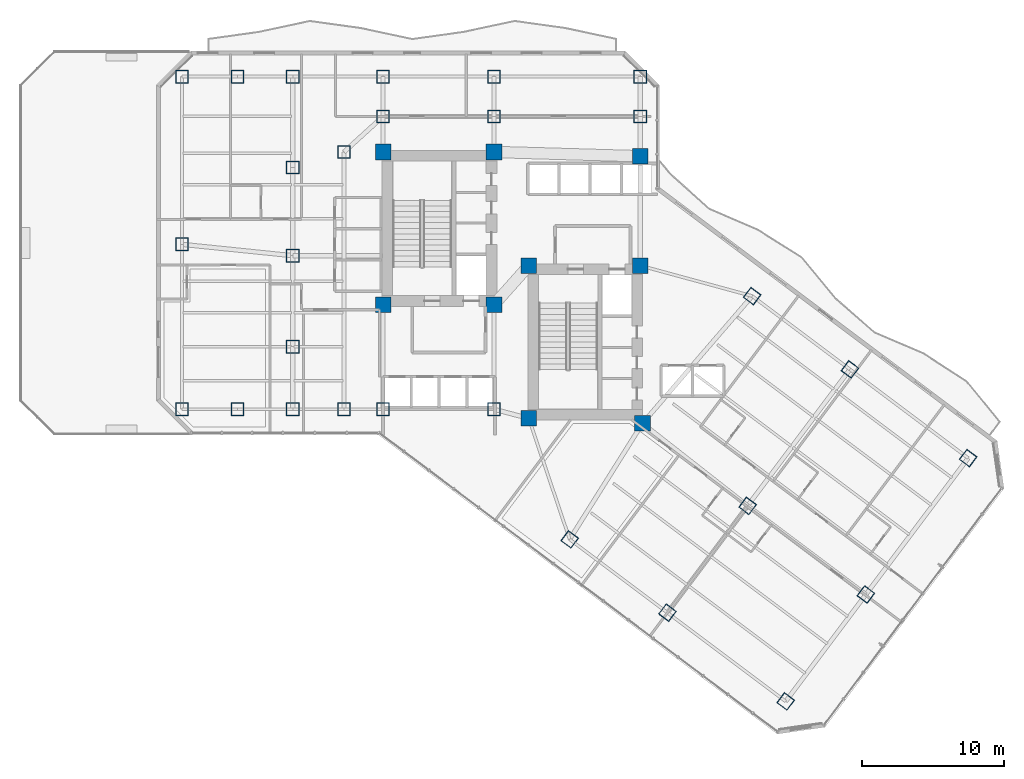
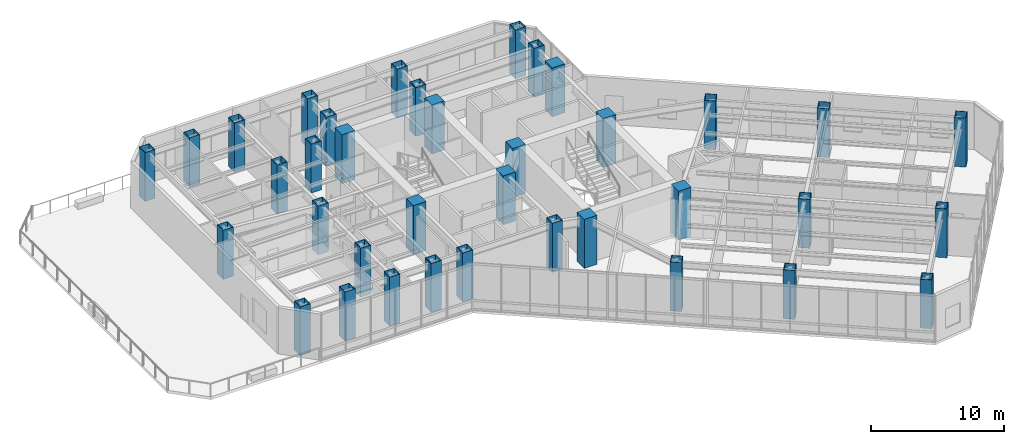
# One storey, part 1 of 27: 37 columns.
"""IFC4 building model written with IfcOpenShell, lengths in metres."""

import ifcopenshell
import ifcopenshell.guid

model = None  # the IFC model being written
_history = None  # IfcOwnerHistory: only IFC2X3 demands one
_inside = {}  # id of a spatial element -> (the spatial element, [elements in it])
_under = {}  # id of a project, library or spatial element -> (it, [spatial elements below it])
_declared = {}  # id of a project -> (the project, [libraries it declares])
_typed = {}  # id of a type object -> (the type object, [elements of that type])
_made_of = {}  # id of a material, layer set ... -> (it, [elements and type objects made of it])


def new_model(schema):
    """Start an empty IFC model of exactly this schema.

    Asked for "IFC4X3", IfcOpenShell would pick the latest addendum, in which some entities
    have other attributes; the version numbers below select the first issue.
    IFC2X3 requires an IfcOwnerHistory on every rooted entity: one is made here for all.
    """
    global model, _history
    if schema == "IFC4X3":
        model = ifcopenshell.file(schema_version=(4, 3, 0, 0))
    else:
        model = ifcopenshell.file(schema=schema)
    _inside.clear()
    _under.clear()
    _declared.clear()
    _typed.clear()
    _made_of.clear()
    _history = None
    if model.schema == "IFC2X3":
        org = make("IfcOrganization", Name="unknown")
        user = make(
            "IfcPersonAndOrganization",
            ThePerson=make("IfcPerson", FamilyName="unknown"),
            TheOrganization=org,
        )
        app = make(
            "IfcApplication",
            ApplicationDeveloper=org,
            Version="unknown",
            ApplicationFullName="unknown",
            ApplicationIdentifier="unknown",
        )
        _history = make(
            "IfcOwnerHistory",
            OwningUser=user,
            OwningApplication=app,
            ChangeAction="ADDED",
            CreationDate=0,
        )
    return model


def make(cls, **values):
    """One entity of the class cls with the attributes given. An attribute that is None is left unset."""
    return model.create_entity(
        cls, **{name: value for name, value in values.items() if value is not None}
    )


def rooted(cls, **values):
    """An entity with a GlobalId (a new one), such as an element, a storey or a relation."""
    return make(cls, GlobalId=ifcopenshell.guid.new(), OwnerHistory=_history, **values)


def si_unit(unit_type, name, prefix=None):
    """IfcSIUnit, for example si_unit("LENGTHUNIT", "METRE", prefix="MILLI")."""
    return make("IfcSIUnit", UnitType=unit_type, Prefix=prefix, Name=name)


def assignment(units):
    """IfcUnitAssignment: the units of a project."""
    return None if units is None else make("IfcUnitAssignment", Units=units)


def point(xyz):
    """IfcCartesianPoint."""
    return None if xyz is None else make("IfcCartesianPoint", Coordinates=xyz)


def direction(xyz):
    """IfcDirection."""
    return None if xyz is None else make("IfcDirection", DirectionRatios=xyz)


def frame(location, z_axis=None, x_axis=None):
    """IfcAxis2Placement3D, a coordinate frame: its origin and axes. An axis left out is left unset."""
    return make(
        "IfcAxis2Placement3D",
        Location=point(location),
        Axis=direction(z_axis),
        RefDirection=direction(x_axis),
    )


def frame_2d(location, x_axis=None):
    """IfcAxis2Placement2D, a coordinate frame in the plane: its origin and x axis."""
    return make(
        "IfcAxis2Placement2D", Location=point(location), RefDirection=direction(x_axis)
    )


def origin():
    """The frame at (0, 0, 0) with its axes left unset."""
    return frame((0.0, 0.0, 0.0))


def origin_2d():
    """The frame at (0, 0) in the plane with its x axis left unset."""
    return frame_2d((0.0, 0.0))


def place(relative_to, where):
    """IfcLocalPlacement: puts the frame where relative to a parent placement (None: the world)."""
    return make(
        "IfcLocalPlacement", PlacementRelTo=relative_to, RelativePlacement=where
    )


def context(
    kind, dimensions, precision=None, world=None, true_north=None, identifier=None
):
    """IfcGeometricRepresentationContext, for example the 3D "Model" context."""
    return make(
        "IfcGeometricRepresentationContext",
        ContextIdentifier=identifier,
        ContextType=kind,
        CoordinateSpaceDimension=dimensions,
        Precision=precision,
        WorldCoordinateSystem=world,
        TrueNorth=true_north,
    )


def subcontext(parent, identifier, kind, view, scale=None):
    """IfcGeometricRepresentationSubContext, for example "Body" below "Model"."""
    return make(
        "IfcGeometricRepresentationSubContext",
        ContextIdentifier=identifier,
        ContextType=kind,
        ParentContext=parent,
        TargetScale=scale,
        TargetView=view,
    )


def project(units=None, contexts=None):
    """IfcProject with its units and contexts."""
    return rooted(
        "IfcProject",
        Name="project",
        RepresentationContexts=contexts,
        UnitsInContext=assignment(units),
    )


def spatial(cls, under=None, at=None, **own):
    """A site, building, storey or space (cls), placed at a placement, below another one or the project."""
    s = rooted(cls, ObjectPlacement=at, **own)
    if under is not None:
        _under.setdefault(under.id(), (under, []))[1].append(s)
    return s


def profile(cls, at=None, kind="AREA", **sizes):
    """A parametric profile (cls). Its sizes go by their IFC names, for example OverallWidth=200.0."""
    return make(cls, ProfileType=kind, Position=at, **sizes)


def rectangle(**sizes):
    """IfcRectangleProfileDef."""
    return profile("IfcRectangleProfileDef", **sizes)


def hollow_rectangle(**sizes):
    """IfcRectangleHollowProfileDef."""
    return profile("IfcRectangleHollowProfileDef", **sizes)


def extrude(swept, where, along, depth):
    """IfcExtrudedAreaSolid: the profile swept, set in the frame where, extruded along a direction by depth."""
    return make(
        "IfcExtrudedAreaSolid",
        SweptArea=swept,
        Position=where,
        ExtrudedDirection=direction(along),
        Depth=depth,
    )


def shape(context_of_items, identifier, shape_type, items):
    """IfcShapeRepresentation: the items that make up one representation, for example the "Body"."""
    return make(
        "IfcShapeRepresentation",
        ContextOfItems=context_of_items,
        RepresentationIdentifier=identifier,
        RepresentationType=shape_type,
        Items=items,
    )


def material(Name=None, Category=None):
    """IfcMaterial."""
    return make("IfcMaterial", Name=Name, Category=Category)


def material_profile(
    of_material, cross_section, Name=None, Category=None, Priority=None
):
    """IfcMaterialProfile: a cross section and its material."""
    return make(
        "IfcMaterialProfile",
        Name=Name,
        Material=of_material,
        Profile=cross_section,
        Priority=Priority,
        Category=Category,
    )


def profile_set(profiles, Name=None, composite=None):
    """IfcMaterialProfileSet."""
    return make(
        "IfcMaterialProfileSet",
        Name=Name,
        MaterialProfiles=profiles,
        CompositeProfile=composite,
    )


def made_of(thing, what):
    """Note that an element or type object is made of a material, layer set ...; save() writes the relation."""
    if what is not None:
        _made_of.setdefault(what.id(), (what, []))[1].append(thing)
    return thing


def type_object(cls, material=None, **own):
    """A type object (cls), such as IfcWallType, which elements share."""
    return made_of(rooted(cls, **own), material)


def element(
    cls,
    number,
    at=None,
    inside=None,
    cuts=None,
    type_object=None,
    material=None,
    context=None,
    identifier="Body",
    shape_type=None,
    held_by="IfcProductDefinitionShape",
    body=None,
    shapes=None,
    **own,
):
    """One element of the class cls, such as IfcWall. Its Tag is "e" and its number.

    at: its placement. inside: the storey or other place that contains it. cuts: it is an
    opening in that element (IfcRelVoidsElement). A single representation is given by context,
    identifier, shape_type and body (its items); several are given by shapes. held_by: the class
    of the entity that holds the representations. save() writes the other relations.
    """
    e = rooted(cls, Tag="e%d" % number, ObjectPlacement=at, **own)
    if body is not None:
        shapes = [shape(context, identifier, shape_type, body)]
    if shapes is not None:
        e.Representation = make(held_by, Representations=shapes)
    if inside is not None:
        _inside.setdefault(inside.id(), (inside, []))[1].append(e)
    if cuts is not None:
        rooted(
            "IfcRelVoidsElement", RelatingBuildingElement=cuts, RelatedOpeningElement=e
        )
    if type_object is not None:
        _typed.setdefault(type_object.id(), (type_object, []))[1].append(e)
    return made_of(e, material)


def aggregate(whole, parts):
    """IfcRelAggregates: a whole, such as a stair, and the parts it consists of."""
    return rooted("IfcRelAggregates", RelatingObject=whole, RelatedObjects=parts)


def save(model, path):
    """Write the relations noted so far, then the file.

    IfcRelAggregates (storeys below a building ...), IfcRelContainedInSpatialStructure (elements
    in a storey), IfcRelDefinesByType, IfcRelAssociatesMaterial and IfcRelDeclares: one each for
    every whole, place, type object, material and project.
    """
    for whole, parts in _under.values():
        aggregate(whole, parts)
    for where, things in _inside.values():
        rooted(
            "IfcRelContainedInSpatialStructure",
            RelatedElements=things,
            RelatingStructure=where,
        )
    for kind, things in _typed.values():
        rooted("IfcRelDefinesByType", RelatedObjects=things, RelatingType=kind)
    for what, things in _made_of.values():
        rooted("IfcRelAssociatesMaterial", RelatedObjects=things, RelatingMaterial=what)
    for by, libraries in _declared.values():
        rooted("IfcRelDeclares", RelatingContext=by, RelatedDefinitions=libraries)
    model.write(path)


model = new_model("IFC4")

# Units and contexts
model_context = context("Model", 3, precision=1e-05, world=origin(), true_north=direction((0.0, 1.0)))
body_context = subcontext(model_context, "Body", "Model", "MODEL_VIEW")
ifc_project = project(units=[si_unit("LENGTHUNIT", "METRE"), si_unit("AREAUNIT", "SQUARE_METRE"), si_unit("VOLUMEUNIT", "CUBIC_METRE"), si_unit("PLANEANGLEUNIT", "RADIAN"), si_unit("MASSUNIT", "GRAM", prefix="KILO")], contexts=[model_context])

# Site, building, storey
site_placement = place(None, origin())
site = spatial("IfcSite", under=ifc_project, at=site_placement, CompositionType="ELEMENT")
building_placement = place(site_placement, origin())
building = spatial("IfcBuilding", under=site, at=building_placement, Name="Hatsunagi Terrace Concourse", CompositionType="ELEMENT")
storey_placement = place(building_placement, frame((0.0, 0.0, 70.10009765625)))
storey = spatial("IfcBuildingStorey", under=building, at=storey_placement, Name="L18", CompositionType="ELEMENT", Elevation=70.10009765625)

# Columns
ifc_material_1 = material(Name="Concrete Fc60", Category="concrete")
ifc_material_profile_1 = material_profile(ifc_material_1, rectangle(XDim=1.10009765625, YDim=1.10009765625, at=origin_2d()), Name="RC-1100x1100")
ifc_profile_set_1 = profile_set([ifc_material_profile_1], Name="Concrete Fc60")
column_type_1 = type_object("IfcColumnType", Name="CoreColumn_RC_1100x1100", PredefinedType="COLUMN", material=ifc_profile_set_1)
for number, where, z_axis, x_axis, name in (
    (1, (25.550048828125, 32.550048828125, 0.0), (0.0, 0.0, 1.0), (1.0, 0.0, 0.0), "Column C-01 L18-CASW"),
    (2, (33.35009765625, 32.550048828125, 0.0), (0.0, 0.0, 1.0), (1.0, 0.0, 0.0), "Column C-01 L18-CASE"),
    (3, (25.550048828125, 43.300048828125, 0.0), (0.0, 0.0, 1.0), (1.0, 0.0, 0.0), "Column C-01 L18-CANW"),
    (4, (33.35009765625, 43.300048828125, 0.0), (0.0, 0.0, 1.0), (1.0, 0.0, 0.0), "Column C-01 L18-CANE"),
    (5, (35.800048828125, 24.550048828125, 0.0), (0.0, 0.0, 1.0), (1.0, 0.0, 0.0), "Column C-01 L18-CBSW"),
    (6, (43.800048828125, 24.199951171875, 0.0), (0.0, 0.0, 1.0), (1.0, 0.0, 0.0), "Column C-01 L18-CBSE"),
    (7, (35.800048828125, 35.300048828125, 0.0), (0.0, 0.0, 1.0), (1.0, 0.0, 0.0), "Column C-01 L18-CBNW"),
    (8, (43.64990234375, 35.300048828125, 0.0), (0.0, 0.0, 1.0), (1.0, 0.0, 0.0), "Column C-01 L18-CBNE"),
    (9, (43.64990234375, 43.0, 0.0), (0.0, 0.0, 1.0), (1.0, 0.0, 0.0), "Column C-01 L18-K3"),
):
    element("IfcColumn", number, at=place(storey_placement, frame(where, z_axis=z_axis, x_axis=x_axis)), inside=storey, type_object=column_type_1, Name=name, PredefinedType="COLUMN", context=body_context, shape_type="SweptSolid", body=[
        extrude(rectangle(XDim=1.10009765625, YDim=1.10009765625, at=origin_2d()), origin(), (0.0, 0.0, 1.0), 4.5),
    ])
ifc_material_2 = material(Name="Steel BCP325T", Category="steel")
ifc_material_profile_2 = material_profile(ifc_material_2, hollow_rectangle(XDim=0.89990234375, YDim=0.89990234375, WallThickness=0.035888671875, at=origin_2d()), Name="BCP-900x900x36")
ifc_profile_set_2 = profile_set([ifc_material_profile_2], Name="Steel BCP325T")
column_type_2 = type_object("IfcColumnType", Name="TowerBoxColumn_900x900x36", PredefinedType="COLUMN", material=ifc_profile_set_2)
for number, where, z_axis, x_axis, name in (
    (10, (25.550048828125, 25.199951171875, 0.0), (0.0, 0.0, 1.0), (1.0, 0.0, 0.0), "Column C-04 L18-K1"),
    (11, (33.35009765625, 25.199951171875, 0.0), (0.0, 0.0, 1.0), (1.0, 0.0, 0.0), "Column C-04 L18-K2"),
    (12, (25.550048828125, 45.800048828125, 0.0), (0.0, 0.0, 1.0), (1.0, 0.0, 0.0), "Column C-04 L18-CN1"),
    (13, (33.35009765625, 45.800048828125, 0.0), (0.0, 0.0, 1.0), (1.0, 0.0, 0.0), "Column C-04 L18-CN2"),
    (14, (43.64990234375, 45.800048828125, 0.0), (0.0, 0.0, 1.0), (1.0, 0.0, 0.0), "Column C-04 L18-CN3"),
    (15, (11.39990234375, 25.199951171875, 0.0), (0.0, 0.0, 1.0), (1.0, 0.0, 0.0), "Column C-04 L18-WS2"),
    (16, (11.39990234375, 48.60009765625, 0.0), (0.0, 0.0, 1.0), (1.0, 0.0, 0.0), "Column C-04 L18-WN2"),
    (17, (19.199951171875, 48.60009765625, 0.0), (0.0, 0.0, 1.0), (1.0, 0.0, 0.0), "Column C-04 L18-WN3"),
    (18, (25.550048828125, 48.60009765625, 0.0), (0.0, 0.0, 1.0), (1.0, 0.0, 0.0), "Column C-04 L18-WN4"),
    (19, (33.35009765625, 48.60009765625, 0.0), (0.0, 0.0, 1.0), (1.0, 0.0, 0.0), "Column C-04 L18-WN5"),
    (20, (43.64990234375, 48.60009765625, 0.0), (0.0, 0.0, 1.0), (1.0, 0.0, 0.0), "Column C-04 L18-WN6"),
    (21, (19.199951171875, 25.199951171875, 0.0), (0.0, 0.0, 1.0), (1.0, 0.0, 0.0), "Column C-04 L18-WS3"),
    (22, (19.199951171875, 29.60009765625, 0.0), (0.0, 0.0, 1.0), (1.0, 0.0, 0.0), "Column C-04 L18-WR1"),
    (23, (19.199951171875, 42.199951171875, 0.0), (0.0, 0.0, 1.0), (1.0, 0.0, 0.0), "Column C-04 L18-WR2"),
    (24, (22.800048828125, 25.199951171875, 0.0), (0.0, 0.0, 1.0), (1.0, 0.0, 0.0), "Column C-04 L18-CW1"),
    (25, (22.800048828125, 43.300048828125, 0.0), (0.0, 0.0, 1.0), (1.0, 0.0, 0.0), "Column C-04 L18-CW2"),
    (26, (11.39990234375, 36.800048828125, 0.0), (0.0, 0.0, 1.0), (1.0, 0.0, 0.0), "Column C-04 L18-WT1"),
    (27, (19.199951171875, 36.0, 0.0), (0.0, 0.0, 1.0), (1.0, 0.0, 0.0), "Column C-04 L18-WT2"),
    (28, (15.300048828125, 25.199951171875, 0.0), (0.0, 0.0, 1.0), (1.0, 0.0, 0.0), "Column C-04 L18-WT3"),
    (29, (15.300048828125, 48.60009765625, 0.0), (0.0, 0.0, 1.0), (1.0, 0.0, 0.0), "Column C-04 L18-WT4"),
    (30, (38.679931640625, 16.0400390625, 0.0), (0.0, 0.0, 1.0), (0.799999996291, -0.600000004945, 0.0), "Column C-04 L18-SES1"),
    (31, (51.52001953125, 33.159912109375, 0.0), (0.0, 0.0, 1.0), (0.799999996291, -0.600000004945, 0.0), "Column C-04 L18-SEN1"),
    (32, (45.56005859375, 10.8798828125, 0.0), (0.0, 0.0, 1.0), (0.799999996291, -0.600000004945, 0.0), "Column C-04 L18-SES2"),
    (33, (58.39990234375, 28.0, 0.0), (0.0, 0.0, 1.0), (0.799999996291, -0.600000004945, 0.0), "Column C-04 L18-SEN2"),
    (34, (51.199951171875, 18.39990234375, 0.0), (0.0, 0.0, 1.0), (0.799999996291, -0.600000004945, 0.0), "Column C-04 L18-SEM2"),
    (35, (53.8798828125, 4.639892578125, 0.0), (0.0, 0.0, 1.0), (0.799999996291, -0.600000004945, 0.0), "Column C-04 L18-SES3"),
    (36, (66.719970703125, 21.760009765625, 0.0), (0.0, 0.0, 1.0), (0.799999996291, -0.600000004945, 0.0), "Column C-04 L18-SEN3"),
    (37, (59.52001953125, 12.159912109375, 0.0), (0.0, 0.0, 1.0), (0.799999996291, -0.600000004945, 0.0), "Column C-04 L18-SEM3"),
):
    element("IfcColumn", number, at=place(storey_placement, frame(where, z_axis=z_axis, x_axis=x_axis)), inside=storey, type_object=column_type_2, Name=name, PredefinedType="COLUMN", context=body_context, shape_type="SweptSolid", body=[
        extrude(hollow_rectangle(XDim=0.89990234375, YDim=0.89990234375, WallThickness=0.035888671875, at=origin_2d()), origin(), (0.0, 0.0, 1.0), 4.5),
    ])

save(model, "model.ifc")
